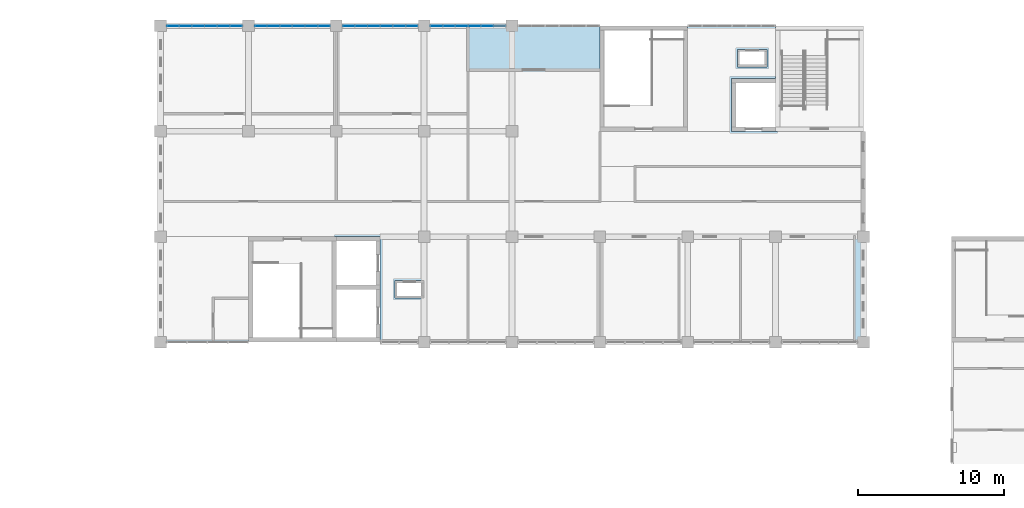
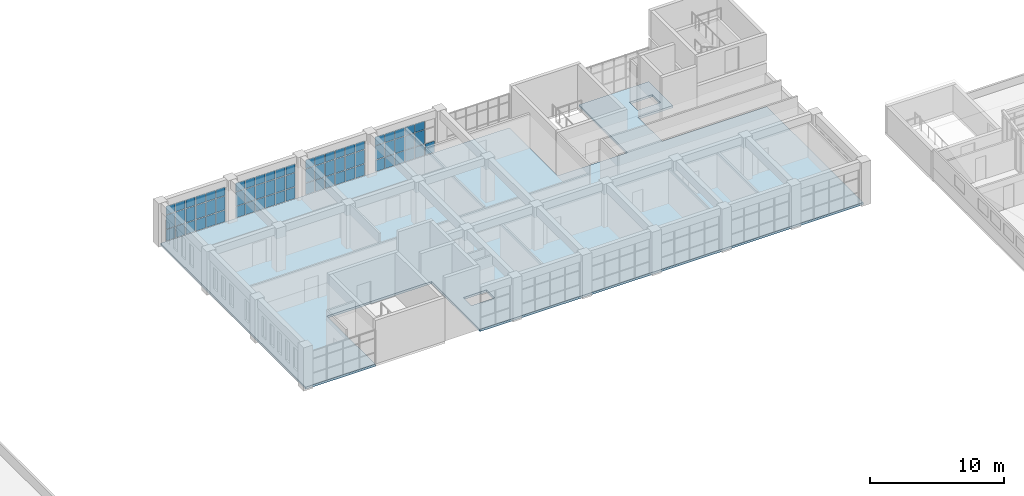
# One storey, part 32 of 51: 70 plates, 1 slab, 4 elements without a shape of their own.
"""IFC4 building model written with IfcOpenShell, lengths in metres."""

from ifc_helpers import new_model, si_unit, direction, frame, origin, origin_2d, place, context, subcontext, project, spatial, polyline, rectangle, outline, extrude, material, layer, layer_set, type_object, element, aggregate, save


model = new_model("IFC4")

# Units and contexts
model_context = context("Model", 3, precision=1e-05, world=origin(), true_north=direction((0.0, 1.0)))
body_context = subcontext(model_context, "Body", "Model", "MODEL_VIEW")
ifc_project = project(units=[si_unit("LENGTHUNIT", "METRE"), si_unit("AREAUNIT", "SQUARE_METRE"), si_unit("VOLUMEUNIT", "CUBIC_METRE"), si_unit("PLANEANGLEUNIT", "RADIAN"), si_unit("MASSUNIT", "GRAM", prefix="KILO")], contexts=[model_context])

# Site, building, storey
site_placement = place(None, origin())
site = spatial("IfcSite", under=ifc_project, at=site_placement, CompositionType="ELEMENT")
building_placement = place(site_placement, origin())
building = spatial("IfcBuilding", under=site, at=building_placement, Name="Laocheng Heights Fire and Rescue Headquarters", CompositionType="ELEMENT")
storey_placement = place(building_placement, frame((0.0, 0.0, 21.0)))
storey = spatial("IfcBuildingStorey", under=building, at=storey_placement, Name="L05", CompositionType="ELEMENT", Elevation=21.0)

# Curtain wall, plates
ifc_material_1 = material(Name="Dark anodised aluminium unitised curtain wall, low-e double glazing", Category="aluminium")
curtain_wall_type = type_object("IfcCurtainWallType", Name="CW 5200 x 3250 HQ NORTH GLAZING", PredefinedType="NOTDEFINED", material=ifc_material_1)
curtain_wall_1_placement = place(storey_placement, origin())
curtain_wall_1 = element("IfcCurtainWall", 1, at=curtain_wall_1_placement, inside=storey, type_object=curtain_wall_type, Name="X26-X HQ NORTH L05", PredefinedType="NOTDEFINED")
ifc_material_2 = material(Name="Laminated safety glass, low-e double glazed unit", Category="glass")
ifc_layer_1 = layer(ifc_material_2, 0.0400390625)
ifc_layer_set_1 = layer_set([ifc_layer_1], Name="Laminated safety glass, low-e double glazed unit")
plate_type_1 = type_object("IfcPlateType", Name="CW LAMINATED SAFETY PANEL 40 X", PredefinedType="CURTAIN_PANEL", material=ifc_layer_set_1)
plate_1_placement = place(storey_placement, frame((36.848388671875, 72.0, 0.050048828125), z_axis=(0.0, 0.0, 1.0), x_axis=(1.0, 0.0, 0.0)))
plate_1 = element("IfcPlate", 2, at=plate_1_placement, type_object=plate_type_1, Name="X26-X panel 1.1", PredefinedType="CURTAIN_PANEL", context=body_context, shape_type="SweptSolid", body=[
    extrude(rectangle(XDim=0.776611328125, YDim=0.0400390625, at=origin_2d()), origin(), (0.0, 0.0, 1.0), 1.02490234375),
])
plate_2_placement = place(storey_placement, frame((37.699951171875, 72.0, 0.050048828125), z_axis=(0.0, 0.0, 1.0), x_axis=(1.0, 0.0, 0.0)))
plate_2 = element("IfcPlate", 3, at=plate_2_placement, type_object=plate_type_1, Name="X26-X panel 2.1", PredefinedType="CURTAIN_PANEL", context=body_context, shape_type="SweptSolid", body=[
    extrude(rectangle(XDim=0.806640625, YDim=0.0400390625, at=origin_2d()), origin(), (0.0, 0.0, 1.0), 1.02490234375),
])
plate_3_placement = place(storey_placement, frame((38.566650390625, 72.0, 0.050048828125), z_axis=(0.0, 0.0, 1.0), x_axis=(1.0, 0.0, 0.0)))
plate_3 = element("IfcPlate", 4, at=plate_3_placement, type_object=plate_type_1, Name="X26-X panel 3.1", PredefinedType="CURTAIN_PANEL", context=body_context, shape_type="SweptSolid", body=[
    extrude(rectangle(XDim=0.806640625, YDim=0.0400390625, at=origin_2d()), origin(), (0.0, 0.0, 1.0), 1.02490234375),
])
plate_4_placement = place(storey_placement, frame((39.433349609375, 72.0, 0.050048828125), z_axis=(0.0, 0.0, 1.0), x_axis=(1.0, 0.0, 0.0)))
plate_4 = element("IfcPlate", 5, at=plate_4_placement, type_object=plate_type_1, Name="X26-X panel 4.1", PredefinedType="CURTAIN_PANEL", context=body_context, shape_type="SweptSolid", body=[
    extrude(rectangle(XDim=0.806640625, YDim=0.0400390625, at=origin_2d()), origin(), (0.0, 0.0, 1.0), 1.02490234375),
])
plate_5_placement = place(storey_placement, frame((40.300048828125, 72.0, 0.050048828125), z_axis=(0.0, 0.0, 1.0), x_axis=(1.0, 0.0, 0.0)))
plate_5 = element("IfcPlate", 6, at=plate_5_placement, type_object=plate_type_1, Name="X26-X panel 5.1", PredefinedType="CURTAIN_PANEL", context=body_context, shape_type="SweptSolid", body=[
    extrude(rectangle(XDim=0.806640625, YDim=0.0400390625, at=origin_2d()), origin(), (0.0, 0.0, 1.0), 1.02490234375),
])
plate_6_placement = place(storey_placement, frame((41.151611328125, 72.0, 0.050048828125), z_axis=(0.0, 0.0, 1.0), x_axis=(1.0, 0.0, 0.0)))
plate_6 = element("IfcPlate", 7, at=plate_6_placement, type_object=plate_type_1, Name="X26-X panel 6.1", PredefinedType="CURTAIN_PANEL", context=body_context, shape_type="SweptSolid", body=[
    extrude(rectangle(XDim=0.776611328125, YDim=0.0400390625, at=origin_2d()), origin(), (0.0, 0.0, 1.0), 1.02490234375),
])

curtain_wall_2_placement = place(storey_placement, origin())
curtain_wall_2 = element("IfcCurtainWall", 8, at=curtain_wall_2_placement, inside=storey, type_object=curtain_wall_type, Name="X26-X HQ NORTH L05", PredefinedType="NOTDEFINED")
plate_7_placement = place(storey_placement, frame((42.848388671875, 72.0, 0.050048828125), z_axis=(0.0, 0.0, 1.0), x_axis=(1.0, 0.0, 0.0)))
plate_7 = element("IfcPlate", 9, at=plate_7_placement, type_object=plate_type_1, Name="X26-X panel 1.1", PredefinedType="CURTAIN_PANEL", context=body_context, shape_type="SweptSolid", body=[
    extrude(rectangle(XDim=0.776611328125, YDim=0.0400390625, at=origin_2d()), origin(), (0.0, 0.0, 1.0), 1.02490234375),
])
plate_8_placement = place(storey_placement, frame((43.699951171875, 72.0, 0.050048828125), z_axis=(0.0, 0.0, 1.0), x_axis=(1.0, 0.0, 0.0)))
plate_8 = element("IfcPlate", 10, at=plate_8_placement, type_object=plate_type_1, Name="X26-X panel 2.1", PredefinedType="CURTAIN_PANEL", context=body_context, shape_type="SweptSolid", body=[
    extrude(rectangle(XDim=0.806640625, YDim=0.0400390625, at=origin_2d()), origin(), (0.0, 0.0, 1.0), 1.02490234375),
])
plate_9_placement = place(storey_placement, frame((44.566650390625, 72.0, 0.050048828125), z_axis=(0.0, 0.0, 1.0), x_axis=(1.0, 0.0, 0.0)))
plate_9 = element("IfcPlate", 11, at=plate_9_placement, type_object=plate_type_1, Name="X26-X panel 3.1", PredefinedType="CURTAIN_PANEL", context=body_context, shape_type="SweptSolid", body=[
    extrude(rectangle(XDim=0.806640625, YDim=0.0400390625, at=origin_2d()), origin(), (0.0, 0.0, 1.0), 1.02490234375),
])
plate_10_placement = place(storey_placement, frame((45.433349609375, 72.0, 0.050048828125), z_axis=(0.0, 0.0, 1.0), x_axis=(1.0, 0.0, 0.0)))
plate_10 = element("IfcPlate", 12, at=plate_10_placement, type_object=plate_type_1, Name="X26-X panel 4.1", PredefinedType="CURTAIN_PANEL", context=body_context, shape_type="SweptSolid", body=[
    extrude(rectangle(XDim=0.806640625, YDim=0.0400390625, at=origin_2d()), origin(), (0.0, 0.0, 1.0), 1.02490234375),
])
plate_11_placement = place(storey_placement, frame((46.300048828125, 72.0, 0.050048828125), z_axis=(0.0, 0.0, 1.0), x_axis=(1.0, 0.0, 0.0)))
plate_11 = element("IfcPlate", 13, at=plate_11_placement, type_object=plate_type_1, Name="X26-X panel 5.1", PredefinedType="CURTAIN_PANEL", context=body_context, shape_type="SweptSolid", body=[
    extrude(rectangle(XDim=0.806640625, YDim=0.0400390625, at=origin_2d()), origin(), (0.0, 0.0, 1.0), 1.02490234375),
])
plate_12_placement = place(storey_placement, frame((47.151611328125, 72.0, 0.050048828125), z_axis=(0.0, 0.0, 1.0), x_axis=(1.0, 0.0, 0.0)))
plate_12 = element("IfcPlate", 14, at=plate_12_placement, type_object=plate_type_1, Name="X26-X panel 6.1", PredefinedType="CURTAIN_PANEL", context=body_context, shape_type="SweptSolid", body=[
    extrude(rectangle(XDim=0.776611328125, YDim=0.0400390625, at=origin_2d()), origin(), (0.0, 0.0, 1.0), 1.02490234375),
])

curtain_wall_3_placement = place(storey_placement, origin())
curtain_wall_3 = element("IfcCurtainWall", 15, at=curtain_wall_3_placement, inside=storey, type_object=curtain_wall_type, Name="X26-X HQ NORTH L05", PredefinedType="NOTDEFINED")
plate_13_placement = place(storey_placement, frame((48.848388671875, 72.0, 0.050048828125), z_axis=(0.0, 0.0, 1.0), x_axis=(1.0, 0.0, 0.0)))
plate_13 = element("IfcPlate", 16, at=plate_13_placement, type_object=plate_type_1, Name="X26-X panel 1.1", PredefinedType="CURTAIN_PANEL", context=body_context, shape_type="SweptSolid", body=[
    extrude(rectangle(XDim=0.776611328125, YDim=0.0400390625, at=origin_2d()), origin(), (0.0, 0.0, 1.0), 1.02490234375),
])
plate_14_placement = place(storey_placement, frame((49.699951171875, 72.0, 0.050048828125), z_axis=(0.0, 0.0, 1.0), x_axis=(1.0, 0.0, 0.0)))
plate_14 = element("IfcPlate", 17, at=plate_14_placement, type_object=plate_type_1, Name="X26-X panel 2.1", PredefinedType="CURTAIN_PANEL", context=body_context, shape_type="SweptSolid", body=[
    extrude(rectangle(XDim=0.806640625, YDim=0.0400390625, at=origin_2d()), origin(), (0.0, 0.0, 1.0), 1.02490234375),
])
plate_15_placement = place(storey_placement, frame((50.566650390625, 72.0, 0.050048828125), z_axis=(0.0, 0.0, 1.0), x_axis=(1.0, 0.0, 0.0)))
plate_15 = element("IfcPlate", 18, at=plate_15_placement, type_object=plate_type_1, Name="X26-X panel 3.1", PredefinedType="CURTAIN_PANEL", context=body_context, shape_type="SweptSolid", body=[
    extrude(rectangle(XDim=0.806640625, YDim=0.0400390625, at=origin_2d()), origin(), (0.0, 0.0, 1.0), 1.02490234375),
])
plate_16_placement = place(storey_placement, frame((51.433349609375, 72.0, 0.050048828125), z_axis=(0.0, 0.0, 1.0), x_axis=(1.0, 0.0, 0.0)))
plate_16 = element("IfcPlate", 19, at=plate_16_placement, type_object=plate_type_1, Name="X26-X panel 4.1", PredefinedType="CURTAIN_PANEL", context=body_context, shape_type="SweptSolid", body=[
    extrude(rectangle(XDim=0.806640625, YDim=0.0400390625, at=origin_2d()), origin(), (0.0, 0.0, 1.0), 1.02490234375),
])
plate_17_placement = place(storey_placement, frame((52.300048828125, 72.0, 0.050048828125), z_axis=(0.0, 0.0, 1.0), x_axis=(1.0, 0.0, 0.0)))
plate_17 = element("IfcPlate", 20, at=plate_17_placement, type_object=plate_type_1, Name="X26-X panel 5.1", PredefinedType="CURTAIN_PANEL", context=body_context, shape_type="SweptSolid", body=[
    extrude(rectangle(XDim=0.806640625, YDim=0.0400390625, at=origin_2d()), origin(), (0.0, 0.0, 1.0), 1.02490234375),
])
plate_18_placement = place(storey_placement, frame((53.151611328125, 72.0, 0.050048828125), z_axis=(0.0, 0.0, 1.0), x_axis=(1.0, 0.0, 0.0)))
plate_18 = element("IfcPlate", 21, at=plate_18_placement, type_object=plate_type_1, Name="X26-X panel 6.1", PredefinedType="CURTAIN_PANEL", context=body_context, shape_type="SweptSolid", body=[
    extrude(rectangle(XDim=0.776611328125, YDim=0.0400390625, at=origin_2d()), origin(), (0.0, 0.0, 1.0), 1.02490234375),
])

curtain_wall_4_placement = place(storey_placement, origin())
curtain_wall_4 = element("IfcCurtainWall", 22, at=curtain_wall_4_placement, inside=storey, type_object=curtain_wall_type, Name="X26-X HQ NORTH L05", PredefinedType="NOTDEFINED")
plate_19_placement = place(storey_placement, frame((54.848388671875, 72.0, 0.050048828125), z_axis=(0.0, 0.0, 1.0), x_axis=(1.0, 0.0, 0.0)))
plate_19 = element("IfcPlate", 23, at=plate_19_placement, type_object=plate_type_1, Name="X26-X panel 1.1", PredefinedType="CURTAIN_PANEL", context=body_context, shape_type="SweptSolid", body=[
    extrude(rectangle(XDim=0.776611328125, YDim=0.0400390625, at=origin_2d()), origin(), (0.0, 0.0, 1.0), 1.02490234375),
])
plate_20_placement = place(storey_placement, frame((55.699951171875, 72.0, 0.050048828125), z_axis=(0.0, 0.0, 1.0), x_axis=(1.0, 0.0, 0.0)))
plate_20 = element("IfcPlate", 24, at=plate_20_placement, type_object=plate_type_1, Name="X26-X panel 2.1", PredefinedType="CURTAIN_PANEL", context=body_context, shape_type="SweptSolid", body=[
    extrude(rectangle(XDim=0.806640625, YDim=0.0400390625, at=origin_2d()), origin(), (0.0, 0.0, 1.0), 1.02490234375),
])
plate_21_placement = place(storey_placement, frame((56.566650390625, 72.0, 0.050048828125), z_axis=(0.0, 0.0, 1.0), x_axis=(1.0, 0.0, 0.0)))
plate_21 = element("IfcPlate", 25, at=plate_21_placement, type_object=plate_type_1, Name="X26-X panel 3.1", PredefinedType="CURTAIN_PANEL", context=body_context, shape_type="SweptSolid", body=[
    extrude(rectangle(XDim=0.806640625, YDim=0.0400390625, at=origin_2d()), origin(), (0.0, 0.0, 1.0), 1.02490234375),
])
plate_22_placement = place(storey_placement, frame((57.433349609375, 72.0, 0.050048828125), z_axis=(0.0, 0.0, 1.0), x_axis=(1.0, 0.0, 0.0)))
plate_22 = element("IfcPlate", 26, at=plate_22_placement, type_object=plate_type_1, Name="X26-X panel 4.1", PredefinedType="CURTAIN_PANEL", context=body_context, shape_type="SweptSolid", body=[
    extrude(rectangle(XDim=0.806640625, YDim=0.0400390625, at=origin_2d()), origin(), (0.0, 0.0, 1.0), 1.02490234375),
])
plate_23_placement = place(storey_placement, frame((58.300048828125, 72.0, 0.050048828125), z_axis=(0.0, 0.0, 1.0), x_axis=(1.0, 0.0, 0.0)))
plate_23 = element("IfcPlate", 27, at=plate_23_placement, type_object=plate_type_1, Name="X26-X panel 5.1", PredefinedType="CURTAIN_PANEL", context=body_context, shape_type="SweptSolid", body=[
    extrude(rectangle(XDim=0.806640625, YDim=0.0400390625, at=origin_2d()), origin(), (0.0, 0.0, 1.0), 1.02490234375),
])
plate_24_placement = place(storey_placement, frame((59.151611328125, 72.0, 0.050048828125), z_axis=(0.0, 0.0, 1.0), x_axis=(1.0, 0.0, 0.0)))
plate_24 = element("IfcPlate", 28, at=plate_24_placement, type_object=plate_type_1, Name="X26-X panel 6.1", PredefinedType="CURTAIN_PANEL", context=body_context, shape_type="SweptSolid", body=[
    extrude(rectangle(XDim=0.776611328125, YDim=0.0400390625, at=origin_2d()), origin(), (0.0, 0.0, 1.0), 1.02490234375),
])

# Plate
ifc_material_3 = material(Name="Low-e double glazed unit, laminated inner pane")
ifc_layer_2 = layer(ifc_material_3, 0.028076171875)
ifc_layer_set_2 = layer_set([ifc_layer_2], Name="Low-e double glazed unit, laminated inner pane")
plate_type_2 = type_object("IfcPlateType", Name="CW VISION PANEL 28 X", PredefinedType="CURTAIN_PANEL", material=ifc_layer_set_2)
plate_25_placement = place(storey_placement, frame((36.848388671875, 72.0, 1.125), z_axis=(0.0, 0.0, 1.0), x_axis=(1.0, 0.0, 0.0)))
plate_25 = element("IfcPlate", 29, at=plate_25_placement, type_object=plate_type_2, Name="X26-X panel 1.2", PredefinedType="CURTAIN_PANEL", context=body_context, shape_type="SweptSolid", body=[
    extrude(rectangle(XDim=0.776611328125, YDim=0.028076171875, at=origin_2d()), origin(), (0.0, 0.0, 1.0), 1.25),
])

plate_26_placement = place(storey_placement, frame((36.848388671875, 72.0, 2.425048828125), z_axis=(0.0, 0.0, 1.0), x_axis=(1.0, 0.0, 0.0)))
plate_26 = element("IfcPlate", 30, at=plate_26_placement, type_object=plate_type_2, Name="X26-X panel 1.3", PredefinedType="CURTAIN_PANEL", context=body_context, shape_type="SweptSolid", body=[
    extrude(rectangle(XDim=0.776611328125, YDim=0.028076171875, at=origin_2d()), origin(), (0.0, 0.0, 1.0), 0.77490234375),
])

plate_27_placement = place(storey_placement, frame((37.699951171875, 72.0, 1.125), z_axis=(0.0, 0.0, 1.0), x_axis=(1.0, 0.0, 0.0)))
plate_27 = element("IfcPlate", 31, at=plate_27_placement, type_object=plate_type_2, Name="X26-X panel 2.2", PredefinedType="CURTAIN_PANEL", context=body_context, shape_type="SweptSolid", body=[
    extrude(rectangle(XDim=0.806640625, YDim=0.028076171875, at=origin_2d()), origin(), (0.0, 0.0, 1.0), 1.25),
])

plate_28_placement = place(storey_placement, frame((37.699951171875, 72.0, 2.425048828125), z_axis=(0.0, 0.0, 1.0), x_axis=(1.0, 0.0, 0.0)))
plate_28 = element("IfcPlate", 32, at=plate_28_placement, type_object=plate_type_2, Name="X26-X panel 2.3", PredefinedType="CURTAIN_PANEL", context=body_context, shape_type="SweptSolid", body=[
    extrude(rectangle(XDim=0.806640625, YDim=0.028076171875, at=origin_2d()), origin(), (0.0, 0.0, 1.0), 0.77490234375),
])

plate_29_placement = place(storey_placement, frame((38.566650390625, 72.0, 1.125), z_axis=(0.0, 0.0, 1.0), x_axis=(1.0, 0.0, 0.0)))
plate_29 = element("IfcPlate", 33, at=plate_29_placement, type_object=plate_type_2, Name="X26-X panel 3.2", PredefinedType="CURTAIN_PANEL", context=body_context, shape_type="SweptSolid", body=[
    extrude(rectangle(XDim=0.806640625, YDim=0.028076171875, at=origin_2d()), origin(), (0.0, 0.0, 1.0), 1.25),
])

plate_30_placement = place(storey_placement, frame((38.566650390625, 72.0, 2.425048828125), z_axis=(0.0, 0.0, 1.0), x_axis=(1.0, 0.0, 0.0)))
plate_30 = element("IfcPlate", 34, at=plate_30_placement, type_object=plate_type_2, Name="X26-X panel 3.3", PredefinedType="CURTAIN_PANEL", context=body_context, shape_type="SweptSolid", body=[
    extrude(rectangle(XDim=0.806640625, YDim=0.028076171875, at=origin_2d()), origin(), (0.0, 0.0, 1.0), 0.77490234375),
])

plate_31_placement = place(storey_placement, frame((39.433349609375, 72.0, 1.125), z_axis=(0.0, 0.0, 1.0), x_axis=(1.0, 0.0, 0.0)))
plate_31 = element("IfcPlate", 35, at=plate_31_placement, type_object=plate_type_2, Name="X26-X panel 4.2", PredefinedType="CURTAIN_PANEL", context=body_context, shape_type="SweptSolid", body=[
    extrude(rectangle(XDim=0.806640625, YDim=0.028076171875, at=origin_2d()), origin(), (0.0, 0.0, 1.0), 1.25),
])

plate_32_placement = place(storey_placement, frame((39.433349609375, 72.0, 2.425048828125), z_axis=(0.0, 0.0, 1.0), x_axis=(1.0, 0.0, 0.0)))
plate_32 = element("IfcPlate", 36, at=plate_32_placement, type_object=plate_type_2, Name="X26-X panel 4.3", PredefinedType="CURTAIN_PANEL", context=body_context, shape_type="SweptSolid", body=[
    extrude(rectangle(XDim=0.806640625, YDim=0.028076171875, at=origin_2d()), origin(), (0.0, 0.0, 1.0), 0.77490234375),
])

plate_33_placement = place(storey_placement, frame((40.300048828125, 72.0, 1.125), z_axis=(0.0, 0.0, 1.0), x_axis=(1.0, 0.0, 0.0)))
plate_33 = element("IfcPlate", 37, at=plate_33_placement, type_object=plate_type_2, Name="X26-X panel 5.2", PredefinedType="CURTAIN_PANEL", context=body_context, shape_type="SweptSolid", body=[
    extrude(rectangle(XDim=0.806640625, YDim=0.028076171875, at=origin_2d()), origin(), (0.0, 0.0, 1.0), 1.25),
])

plate_34_placement = place(storey_placement, frame((40.300048828125, 72.0, 2.425048828125), z_axis=(0.0, 0.0, 1.0), x_axis=(1.0, 0.0, 0.0)))
plate_34 = element("IfcPlate", 38, at=plate_34_placement, type_object=plate_type_2, Name="X26-X panel 5.3", PredefinedType="CURTAIN_PANEL", context=body_context, shape_type="SweptSolid", body=[
    extrude(rectangle(XDim=0.806640625, YDim=0.028076171875, at=origin_2d()), origin(), (0.0, 0.0, 1.0), 0.77490234375),
])

plate_35_placement = place(storey_placement, frame((41.151611328125, 72.0, 1.125), z_axis=(0.0, 0.0, 1.0), x_axis=(1.0, 0.0, 0.0)))
plate_35 = element("IfcPlate", 39, at=plate_35_placement, type_object=plate_type_2, Name="X26-X panel 6.2", PredefinedType="CURTAIN_PANEL", context=body_context, shape_type="SweptSolid", body=[
    extrude(rectangle(XDim=0.776611328125, YDim=0.028076171875, at=origin_2d()), origin(), (0.0, 0.0, 1.0), 1.25),
])

plate_36_placement = place(storey_placement, frame((41.151611328125, 72.0, 2.425048828125), z_axis=(0.0, 0.0, 1.0), x_axis=(1.0, 0.0, 0.0)))
plate_36 = element("IfcPlate", 40, at=plate_36_placement, type_object=plate_type_2, Name="X26-X panel 6.3", PredefinedType="CURTAIN_PANEL", context=body_context, shape_type="SweptSolid", body=[
    extrude(rectangle(XDim=0.776611328125, YDim=0.028076171875, at=origin_2d()), origin(), (0.0, 0.0, 1.0), 0.77490234375),
])

aggregate(curtain_wall_1, [plate_1, plate_25, plate_26, plate_2, plate_27, plate_28, plate_3, plate_29, plate_30, plate_4, plate_31, plate_32, plate_5, plate_33, plate_34, plate_6, plate_35, plate_36])

plate_37_placement = place(storey_placement, frame((42.848388671875, 72.0, 1.125), z_axis=(0.0, 0.0, 1.0), x_axis=(1.0, 0.0, 0.0)))
plate_37 = element("IfcPlate", 41, at=plate_37_placement, type_object=plate_type_2, Name="X26-X panel 1.2", PredefinedType="CURTAIN_PANEL", context=body_context, shape_type="SweptSolid", body=[
    extrude(rectangle(XDim=0.776611328125, YDim=0.028076171875, at=origin_2d()), origin(), (0.0, 0.0, 1.0), 1.25),
])

plate_38_placement = place(storey_placement, frame((42.848388671875, 72.0, 2.425048828125), z_axis=(0.0, 0.0, 1.0), x_axis=(1.0, 0.0, 0.0)))
plate_38 = element("IfcPlate", 42, at=plate_38_placement, type_object=plate_type_2, Name="X26-X panel 1.3", PredefinedType="CURTAIN_PANEL", context=body_context, shape_type="SweptSolid", body=[
    extrude(rectangle(XDim=0.776611328125, YDim=0.028076171875, at=origin_2d()), origin(), (0.0, 0.0, 1.0), 0.77490234375),
])

plate_39_placement = place(storey_placement, frame((43.699951171875, 72.0, 1.125), z_axis=(0.0, 0.0, 1.0), x_axis=(1.0, 0.0, 0.0)))
plate_39 = element("IfcPlate", 43, at=plate_39_placement, type_object=plate_type_2, Name="X26-X panel 2.2", PredefinedType="CURTAIN_PANEL", context=body_context, shape_type="SweptSolid", body=[
    extrude(rectangle(XDim=0.806640625, YDim=0.028076171875, at=origin_2d()), origin(), (0.0, 0.0, 1.0), 1.25),
])

plate_40_placement = place(storey_placement, frame((43.699951171875, 72.0, 2.425048828125), z_axis=(0.0, 0.0, 1.0), x_axis=(1.0, 0.0, 0.0)))
plate_40 = element("IfcPlate", 44, at=plate_40_placement, type_object=plate_type_2, Name="X26-X panel 2.3", PredefinedType="CURTAIN_PANEL", context=body_context, shape_type="SweptSolid", body=[
    extrude(rectangle(XDim=0.806640625, YDim=0.028076171875, at=origin_2d()), origin(), (0.0, 0.0, 1.0), 0.77490234375),
])

plate_41_placement = place(storey_placement, frame((44.566650390625, 72.0, 1.125), z_axis=(0.0, 0.0, 1.0), x_axis=(1.0, 0.0, 0.0)))
plate_41 = element("IfcPlate", 45, at=plate_41_placement, type_object=plate_type_2, Name="X26-X panel 3.2", PredefinedType="CURTAIN_PANEL", context=body_context, shape_type="SweptSolid", body=[
    extrude(rectangle(XDim=0.806640625, YDim=0.028076171875, at=origin_2d()), origin(), (0.0, 0.0, 1.0), 1.25),
])

plate_42_placement = place(storey_placement, frame((44.566650390625, 72.0, 2.425048828125), z_axis=(0.0, 0.0, 1.0), x_axis=(1.0, 0.0, 0.0)))
plate_42 = element("IfcPlate", 46, at=plate_42_placement, type_object=plate_type_2, Name="X26-X panel 3.3", PredefinedType="CURTAIN_PANEL", context=body_context, shape_type="SweptSolid", body=[
    extrude(rectangle(XDim=0.806640625, YDim=0.028076171875, at=origin_2d()), origin(), (0.0, 0.0, 1.0), 0.77490234375),
])

plate_43_placement = place(storey_placement, frame((45.433349609375, 72.0, 1.125), z_axis=(0.0, 0.0, 1.0), x_axis=(1.0, 0.0, 0.0)))
plate_43 = element("IfcPlate", 47, at=plate_43_placement, type_object=plate_type_2, Name="X26-X panel 4.2", PredefinedType="CURTAIN_PANEL", context=body_context, shape_type="SweptSolid", body=[
    extrude(rectangle(XDim=0.806640625, YDim=0.028076171875, at=origin_2d()), origin(), (0.0, 0.0, 1.0), 1.25),
])

plate_44_placement = place(storey_placement, frame((45.433349609375, 72.0, 2.425048828125), z_axis=(0.0, 0.0, 1.0), x_axis=(1.0, 0.0, 0.0)))
plate_44 = element("IfcPlate", 48, at=plate_44_placement, type_object=plate_type_2, Name="X26-X panel 4.3", PredefinedType="CURTAIN_PANEL", context=body_context, shape_type="SweptSolid", body=[
    extrude(rectangle(XDim=0.806640625, YDim=0.028076171875, at=origin_2d()), origin(), (0.0, 0.0, 1.0), 0.77490234375),
])

plate_45_placement = place(storey_placement, frame((46.300048828125, 72.0, 1.125), z_axis=(0.0, 0.0, 1.0), x_axis=(1.0, 0.0, 0.0)))
plate_45 = element("IfcPlate", 49, at=plate_45_placement, type_object=plate_type_2, Name="X26-X panel 5.2", PredefinedType="CURTAIN_PANEL", context=body_context, shape_type="SweptSolid", body=[
    extrude(rectangle(XDim=0.806640625, YDim=0.028076171875, at=origin_2d()), origin(), (0.0, 0.0, 1.0), 1.25),
])

plate_46_placement = place(storey_placement, frame((46.300048828125, 72.0, 2.425048828125), z_axis=(0.0, 0.0, 1.0), x_axis=(1.0, 0.0, 0.0)))
plate_46 = element("IfcPlate", 50, at=plate_46_placement, type_object=plate_type_2, Name="X26-X panel 5.3", PredefinedType="CURTAIN_PANEL", context=body_context, shape_type="SweptSolid", body=[
    extrude(rectangle(XDim=0.806640625, YDim=0.028076171875, at=origin_2d()), origin(), (0.0, 0.0, 1.0), 0.77490234375),
])

plate_47_placement = place(storey_placement, frame((47.151611328125, 72.0, 1.125), z_axis=(0.0, 0.0, 1.0), x_axis=(1.0, 0.0, 0.0)))
plate_47 = element("IfcPlate", 51, at=plate_47_placement, type_object=plate_type_2, Name="X26-X panel 6.2", PredefinedType="CURTAIN_PANEL", context=body_context, shape_type="SweptSolid", body=[
    extrude(rectangle(XDim=0.776611328125, YDim=0.028076171875, at=origin_2d()), origin(), (0.0, 0.0, 1.0), 1.25),
])

plate_48_placement = place(storey_placement, frame((47.151611328125, 72.0, 2.425048828125), z_axis=(0.0, 0.0, 1.0), x_axis=(1.0, 0.0, 0.0)))
plate_48 = element("IfcPlate", 52, at=plate_48_placement, type_object=plate_type_2, Name="X26-X panel 6.3", PredefinedType="CURTAIN_PANEL", context=body_context, shape_type="SweptSolid", body=[
    extrude(rectangle(XDim=0.776611328125, YDim=0.028076171875, at=origin_2d()), origin(), (0.0, 0.0, 1.0), 0.77490234375),
])

aggregate(curtain_wall_2, [plate_7, plate_37, plate_38, plate_8, plate_39, plate_40, plate_9, plate_41, plate_42, plate_10, plate_43, plate_44, plate_11, plate_45, plate_46, plate_12, plate_47, plate_48])

plate_49_placement = place(storey_placement, frame((48.848388671875, 72.0, 1.125), z_axis=(0.0, 0.0, 1.0), x_axis=(1.0, 0.0, 0.0)))
plate_49 = element("IfcPlate", 53, at=plate_49_placement, type_object=plate_type_2, Name="X26-X panel 1.2", PredefinedType="CURTAIN_PANEL", context=body_context, shape_type="SweptSolid", body=[
    extrude(rectangle(XDim=0.776611328125, YDim=0.028076171875, at=origin_2d()), origin(), (0.0, 0.0, 1.0), 1.25),
])

plate_50_placement = place(storey_placement, frame((48.848388671875, 72.0, 2.425048828125), z_axis=(0.0, 0.0, 1.0), x_axis=(1.0, 0.0, 0.0)))
plate_50 = element("IfcPlate", 54, at=plate_50_placement, type_object=plate_type_2, Name="X26-X panel 1.3", PredefinedType="CURTAIN_PANEL", context=body_context, shape_type="SweptSolid", body=[
    extrude(rectangle(XDim=0.776611328125, YDim=0.028076171875, at=origin_2d()), origin(), (0.0, 0.0, 1.0), 0.77490234375),
])

plate_51_placement = place(storey_placement, frame((49.699951171875, 72.0, 1.125), z_axis=(0.0, 0.0, 1.0), x_axis=(1.0, 0.0, 0.0)))
plate_51 = element("IfcPlate", 55, at=plate_51_placement, type_object=plate_type_2, Name="X26-X panel 2.2", PredefinedType="CURTAIN_PANEL", context=body_context, shape_type="SweptSolid", body=[
    extrude(rectangle(XDim=0.806640625, YDim=0.028076171875, at=origin_2d()), origin(), (0.0, 0.0, 1.0), 1.25),
])

plate_52_placement = place(storey_placement, frame((49.699951171875, 72.0, 2.425048828125), z_axis=(0.0, 0.0, 1.0), x_axis=(1.0, 0.0, 0.0)))
plate_52 = element("IfcPlate", 56, at=plate_52_placement, type_object=plate_type_2, Name="X26-X panel 2.3", PredefinedType="CURTAIN_PANEL", context=body_context, shape_type="SweptSolid", body=[
    extrude(rectangle(XDim=0.806640625, YDim=0.028076171875, at=origin_2d()), origin(), (0.0, 0.0, 1.0), 0.77490234375),
])

plate_53_placement = place(storey_placement, frame((50.566650390625, 72.0, 1.125), z_axis=(0.0, 0.0, 1.0), x_axis=(1.0, 0.0, 0.0)))
plate_53 = element("IfcPlate", 57, at=plate_53_placement, type_object=plate_type_2, Name="X26-X panel 3.2", PredefinedType="CURTAIN_PANEL", context=body_context, shape_type="SweptSolid", body=[
    extrude(rectangle(XDim=0.806640625, YDim=0.028076171875, at=origin_2d()), origin(), (0.0, 0.0, 1.0), 1.25),
])

plate_54_placement = place(storey_placement, frame((50.566650390625, 72.0, 2.425048828125), z_axis=(0.0, 0.0, 1.0), x_axis=(1.0, 0.0, 0.0)))
plate_54 = element("IfcPlate", 58, at=plate_54_placement, type_object=plate_type_2, Name="X26-X panel 3.3", PredefinedType="CURTAIN_PANEL", context=body_context, shape_type="SweptSolid", body=[
    extrude(rectangle(XDim=0.806640625, YDim=0.028076171875, at=origin_2d()), origin(), (0.0, 0.0, 1.0), 0.77490234375),
])

plate_55_placement = place(storey_placement, frame((51.433349609375, 72.0, 1.125), z_axis=(0.0, 0.0, 1.0), x_axis=(1.0, 0.0, 0.0)))
plate_55 = element("IfcPlate", 59, at=plate_55_placement, type_object=plate_type_2, Name="X26-X panel 4.2", PredefinedType="CURTAIN_PANEL", context=body_context, shape_type="SweptSolid", body=[
    extrude(rectangle(XDim=0.806640625, YDim=0.028076171875, at=origin_2d()), origin(), (0.0, 0.0, 1.0), 1.25),
])

plate_56_placement = place(storey_placement, frame((51.433349609375, 72.0, 2.425048828125), z_axis=(0.0, 0.0, 1.0), x_axis=(1.0, 0.0, 0.0)))
plate_56 = element("IfcPlate", 60, at=plate_56_placement, type_object=plate_type_2, Name="X26-X panel 4.3", PredefinedType="CURTAIN_PANEL", context=body_context, shape_type="SweptSolid", body=[
    extrude(rectangle(XDim=0.806640625, YDim=0.028076171875, at=origin_2d()), origin(), (0.0, 0.0, 1.0), 0.77490234375),
])

plate_57_placement = place(storey_placement, frame((52.300048828125, 72.0, 1.125), z_axis=(0.0, 0.0, 1.0), x_axis=(1.0, 0.0, 0.0)))
plate_57 = element("IfcPlate", 61, at=plate_57_placement, type_object=plate_type_2, Name="X26-X panel 5.2", PredefinedType="CURTAIN_PANEL", context=body_context, shape_type="SweptSolid", body=[
    extrude(rectangle(XDim=0.806640625, YDim=0.028076171875, at=origin_2d()), origin(), (0.0, 0.0, 1.0), 1.25),
])

plate_58_placement = place(storey_placement, frame((52.300048828125, 72.0, 2.425048828125), z_axis=(0.0, 0.0, 1.0), x_axis=(1.0, 0.0, 0.0)))
plate_58 = element("IfcPlate", 62, at=plate_58_placement, type_object=plate_type_2, Name="X26-X panel 5.3", PredefinedType="CURTAIN_PANEL", context=body_context, shape_type="SweptSolid", body=[
    extrude(rectangle(XDim=0.806640625, YDim=0.028076171875, at=origin_2d()), origin(), (0.0, 0.0, 1.0), 0.77490234375),
])

plate_59_placement = place(storey_placement, frame((53.151611328125, 72.0, 1.125), z_axis=(0.0, 0.0, 1.0), x_axis=(1.0, 0.0, 0.0)))
plate_59 = element("IfcPlate", 63, at=plate_59_placement, type_object=plate_type_2, Name="X26-X panel 6.2", PredefinedType="CURTAIN_PANEL", context=body_context, shape_type="SweptSolid", body=[
    extrude(rectangle(XDim=0.776611328125, YDim=0.028076171875, at=origin_2d()), origin(), (0.0, 0.0, 1.0), 1.25),
])

plate_60_placement = place(storey_placement, frame((53.151611328125, 72.0, 2.425048828125), z_axis=(0.0, 0.0, 1.0), x_axis=(1.0, 0.0, 0.0)))
plate_60 = element("IfcPlate", 64, at=plate_60_placement, type_object=plate_type_2, Name="X26-X panel 6.3", PredefinedType="CURTAIN_PANEL", context=body_context, shape_type="SweptSolid", body=[
    extrude(rectangle(XDim=0.776611328125, YDim=0.028076171875, at=origin_2d()), origin(), (0.0, 0.0, 1.0), 0.77490234375),
])

aggregate(curtain_wall_3, [plate_13, plate_49, plate_50, plate_14, plate_51, plate_52, plate_15, plate_53, plate_54, plate_16, plate_55, plate_56, plate_17, plate_57, plate_58, plate_18, plate_59, plate_60])

plate_61_placement = place(storey_placement, frame((54.848388671875, 72.0, 1.125), z_axis=(0.0, 0.0, 1.0), x_axis=(1.0, 0.0, 0.0)))
plate_61 = element("IfcPlate", 65, at=plate_61_placement, type_object=plate_type_2, Name="X26-X panel 1.2", PredefinedType="CURTAIN_PANEL", context=body_context, shape_type="SweptSolid", body=[
    extrude(rectangle(XDim=0.776611328125, YDim=0.028076171875, at=origin_2d()), origin(), (0.0, 0.0, 1.0), 1.25),
])

plate_62_placement = place(storey_placement, frame((54.848388671875, 72.0, 2.425048828125), z_axis=(0.0, 0.0, 1.0), x_axis=(1.0, 0.0, 0.0)))
plate_62 = element("IfcPlate", 66, at=plate_62_placement, type_object=plate_type_2, Name="X26-X panel 1.3", PredefinedType="CURTAIN_PANEL", context=body_context, shape_type="SweptSolid", body=[
    extrude(rectangle(XDim=0.776611328125, YDim=0.028076171875, at=origin_2d()), origin(), (0.0, 0.0, 1.0), 0.77490234375),
])

plate_63_placement = place(storey_placement, frame((55.699951171875, 72.0, 1.125), z_axis=(0.0, 0.0, 1.0), x_axis=(1.0, 0.0, 0.0)))
plate_63 = element("IfcPlate", 67, at=plate_63_placement, type_object=plate_type_2, Name="X26-X panel 2.2", PredefinedType="CURTAIN_PANEL", context=body_context, shape_type="SweptSolid", body=[
    extrude(rectangle(XDim=0.806640625, YDim=0.028076171875, at=origin_2d()), origin(), (0.0, 0.0, 1.0), 1.25),
])

plate_64_placement = place(storey_placement, frame((55.699951171875, 72.0, 2.425048828125), z_axis=(0.0, 0.0, 1.0), x_axis=(1.0, 0.0, 0.0)))
plate_64 = element("IfcPlate", 68, at=plate_64_placement, type_object=plate_type_2, Name="X26-X panel 2.3", PredefinedType="CURTAIN_PANEL", context=body_context, shape_type="SweptSolid", body=[
    extrude(rectangle(XDim=0.806640625, YDim=0.028076171875, at=origin_2d()), origin(), (0.0, 0.0, 1.0), 0.77490234375),
])

plate_65_placement = place(storey_placement, frame((56.566650390625, 72.0, 1.125), z_axis=(0.0, 0.0, 1.0), x_axis=(1.0, 0.0, 0.0)))
plate_65 = element("IfcPlate", 69, at=plate_65_placement, type_object=plate_type_2, Name="X26-X panel 3.2", PredefinedType="CURTAIN_PANEL", context=body_context, shape_type="SweptSolid", body=[
    extrude(rectangle(XDim=0.806640625, YDim=0.028076171875, at=origin_2d()), origin(), (0.0, 0.0, 1.0), 1.25),
])

plate_66_placement = place(storey_placement, frame((56.566650390625, 72.0, 2.425048828125), z_axis=(0.0, 0.0, 1.0), x_axis=(1.0, 0.0, 0.0)))
plate_66 = element("IfcPlate", 70, at=plate_66_placement, type_object=plate_type_2, Name="X26-X panel 3.3", PredefinedType="CURTAIN_PANEL", context=body_context, shape_type="SweptSolid", body=[
    extrude(rectangle(XDim=0.806640625, YDim=0.028076171875, at=origin_2d()), origin(), (0.0, 0.0, 1.0), 0.77490234375),
])

plate_67_placement = place(storey_placement, frame((57.433349609375, 72.0, 1.125), z_axis=(0.0, 0.0, 1.0), x_axis=(1.0, 0.0, 0.0)))
plate_67 = element("IfcPlate", 71, at=plate_67_placement, type_object=plate_type_2, Name="X26-X panel 4.2", PredefinedType="CURTAIN_PANEL", context=body_context, shape_type="SweptSolid", body=[
    extrude(rectangle(XDim=0.806640625, YDim=0.028076171875, at=origin_2d()), origin(), (0.0, 0.0, 1.0), 1.25),
])

plate_68_placement = place(storey_placement, frame((57.433349609375, 72.0, 2.425048828125), z_axis=(0.0, 0.0, 1.0), x_axis=(1.0, 0.0, 0.0)))
plate_68 = element("IfcPlate", 72, at=plate_68_placement, type_object=plate_type_2, Name="X26-X panel 4.3", PredefinedType="CURTAIN_PANEL", context=body_context, shape_type="SweptSolid", body=[
    extrude(rectangle(XDim=0.806640625, YDim=0.028076171875, at=origin_2d()), origin(), (0.0, 0.0, 1.0), 0.77490234375),
])

plate_69_placement = place(storey_placement, frame((58.300048828125, 72.0, 1.125), z_axis=(0.0, 0.0, 1.0), x_axis=(1.0, 0.0, 0.0)))
plate_69 = element("IfcPlate", 73, at=plate_69_placement, type_object=plate_type_2, Name="X26-X panel 5.2", PredefinedType="CURTAIN_PANEL", context=body_context, shape_type="SweptSolid", body=[
    extrude(rectangle(XDim=0.806640625, YDim=0.028076171875, at=origin_2d()), origin(), (0.0, 0.0, 1.0), 1.25),
])

plate_70_placement = place(storey_placement, frame((58.300048828125, 72.0, 2.425048828125), z_axis=(0.0, 0.0, 1.0), x_axis=(1.0, 0.0, 0.0)))
plate_70 = element("IfcPlate", 74, at=plate_70_placement, type_object=plate_type_2, Name="X26-X panel 5.3", PredefinedType="CURTAIN_PANEL", context=body_context, shape_type="SweptSolid", body=[
    extrude(rectangle(XDim=0.806640625, YDim=0.028076171875, at=origin_2d()), origin(), (0.0, 0.0, 1.0), 0.77490234375),
])

aggregate(curtain_wall_4, [plate_19, plate_61, plate_62, plate_20, plate_63, plate_64, plate_21, plate_65, plate_66, plate_22, plate_67, plate_68, plate_23, plate_69, plate_70, plate_24])

# Slab
ifc_material_4 = material(Name="Concrete C40", Category="concrete")
ifc_layer_3 = layer(ifc_material_4, 0.199951171875)
ifc_layer_set_3 = layer_set([ifc_layer_3], Name="Concrete C40")
slab_type = type_object("IfcSlabType", Name="RC FLOOR SLAB 200 HQ", PredefinedType="FLOOR", material=ifc_layer_set_3)
slab_placement = place(storey_placement, frame((0.0, 0.0, -0.199951171875)))
element("IfcSlab", 75, at=slab_placement, inside=storey, type_object=slab_type, Name="HQ floor L05", PredefinedType="FLOOR", context=body_context, shape_type="SweptSolid", body=[
    extrude(outline(polyline([(84.0, 50.39990234375), (84.0, 64.800048828125), (75.0, 64.800048828125), (75.0, 68.39990234375), (78.0, 68.39990234375), (78.0, 72.0), (72.0, 72.0), (72.0, 64.800048828125), (66.0, 64.800048828125), (66.0, 72.0), (36.0, 72.0), (36.0, 50.39990234375), (42.0, 50.39990234375), (42.0, 57.60009765625), (51.0, 57.60009765625), (51.0, 50.39990234375), (84.0, 50.39990234375)]), holes=[polyline([(54.0, 54.60009765625), (54.0, 53.39990234375), (52.0, 53.39990234375), (52.0, 54.60009765625), (54.0, 54.60009765625)]), polyline([(77.39990234375, 70.39990234375), (77.39990234375, 69.199951171875), (75.39990234375, 69.199951171875), (75.39990234375, 70.39990234375), (77.39990234375, 70.39990234375)])]), origin(), (0.0, 0.0, 1.0), 0.199951171875),
])

save(model, "model.ifc")
